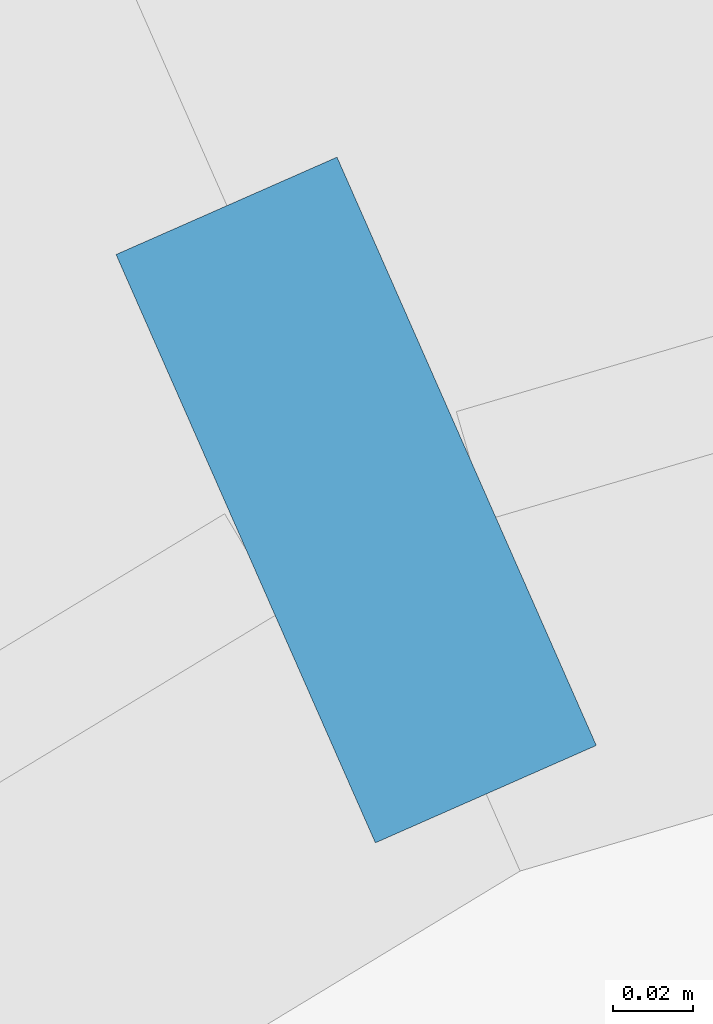
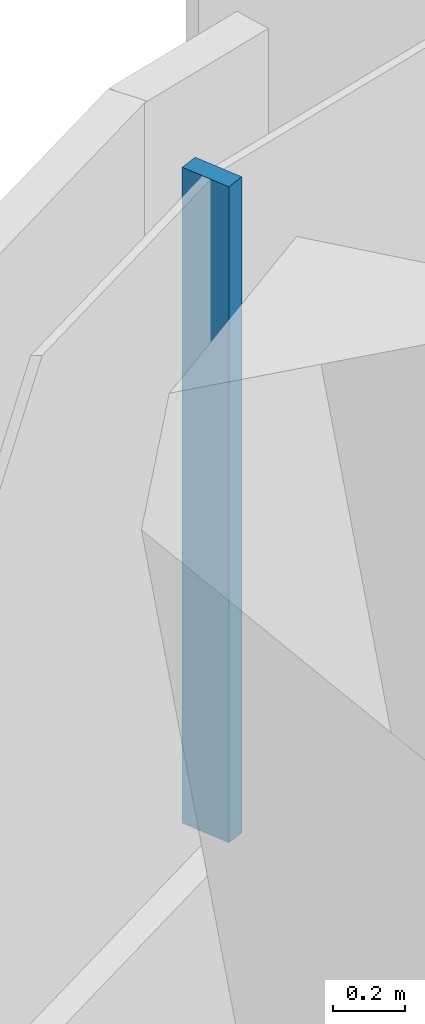
# One storey, part 18 of 35: 1 member, 1 element without a shape of its own.
"""IFC4 building model written with IfcOpenShell, lengths in metres."""

from ifc_helpers import new_model, si_unit, direction, frame, origin, origin_2d, place, context, subcontext, project, spatial, rectangle, extrude, material, layer, layer_set, material_profile, profile_set, type_object, element, aggregate, save


model = new_model("IFC4")

# Units and contexts
model_context = context("Model", 3, precision=1e-05, world=origin(), true_north=direction((0.0, 1.0)))
body_context = subcontext(model_context, "Body", "Model", "MODEL_VIEW")
ifc_project = project(units=[si_unit("LENGTHUNIT", "METRE"), si_unit("AREAUNIT", "SQUARE_METRE"), si_unit("VOLUMEUNIT", "CUBIC_METRE"), si_unit("PLANEANGLEUNIT", "RADIAN"), si_unit("MASSUNIT", "GRAM", prefix="KILO")], contexts=[model_context])

# Site, building, storey
site_placement = place(None, origin())
site = spatial("IfcSite", under=ifc_project, at=site_placement, CompositionType="ELEMENT")
building_placement = place(site_placement, origin())
building = spatial("IfcBuilding", under=site, at=building_placement, Name="Tamarind Cross Interchange Tower", CompositionType="ELEMENT")
storey_placement = place(building_placement, frame((0.0, 0.0, 148.0)))
storey = spatial("IfcBuildingStorey", under=building, at=storey_placement, Name="L36", CompositionType="ELEMENT", Elevation=148.0)

# Curtain wall, member
ifc_material = material(Name="Aluminium 6063-T6", Category="aluminium")
ifc_layer = layer(ifc_material, 0.159912109375)
ifc_layer_set = layer_set([ifc_layer], Name="Aluminium 6063-T6")
curtain_wall_type = type_object("IfcCurtainWallType", Name="Office curtain wall, 9.0 m bays", PredefinedType="NOTDEFINED", material=ifc_layer_set)
curtain_wall_placement = place(storey_placement, origin())
curtain_wall = element("IfcCurtainWall", 1, at=curtain_wall_placement, inside=storey, type_object=curtain_wall_type, Name="CWS-L36-09", PredefinedType="NOTDEFINED")
ifc_material_profile = material_profile(ifc_material, rectangle(XDim=0.06005859375, YDim=0.159912109375, at=origin_2d()), Name="Mullion CW1")
ifc_profile_set = profile_set([ifc_material_profile], Name="Aluminium 6063-T6")
member_type = type_object("IfcMemberType", Name="Mullion CW1", PredefinedType="MULLION", material=ifc_profile_set)
member_placement = place(storey_placement, frame((40.376220703125, 19.154296875, 1.39990234375), z_axis=(0.0, 0.0, 1.0), x_axis=(-0.915063029316, -0.403310863205, 0.0)))
member = element("IfcMember", 2, at=member_placement, type_object=member_type, Name="CWM-L36-09-00", PredefinedType="MULLION", context=body_context, shape_type="SweptSolid", body=[
    extrude(rectangle(XDim=0.06005859375, YDim=0.159912109375, at=origin_2d()), origin(), (0.0, 0.0, 1.0), 2.210205078125),
])
aggregate(curtain_wall, [member])

save(model, "model.ifc")
